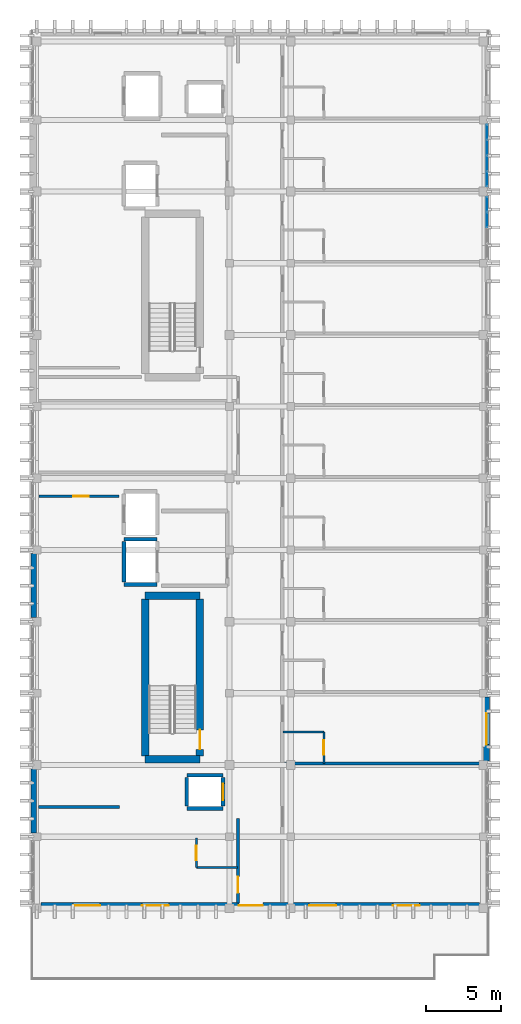
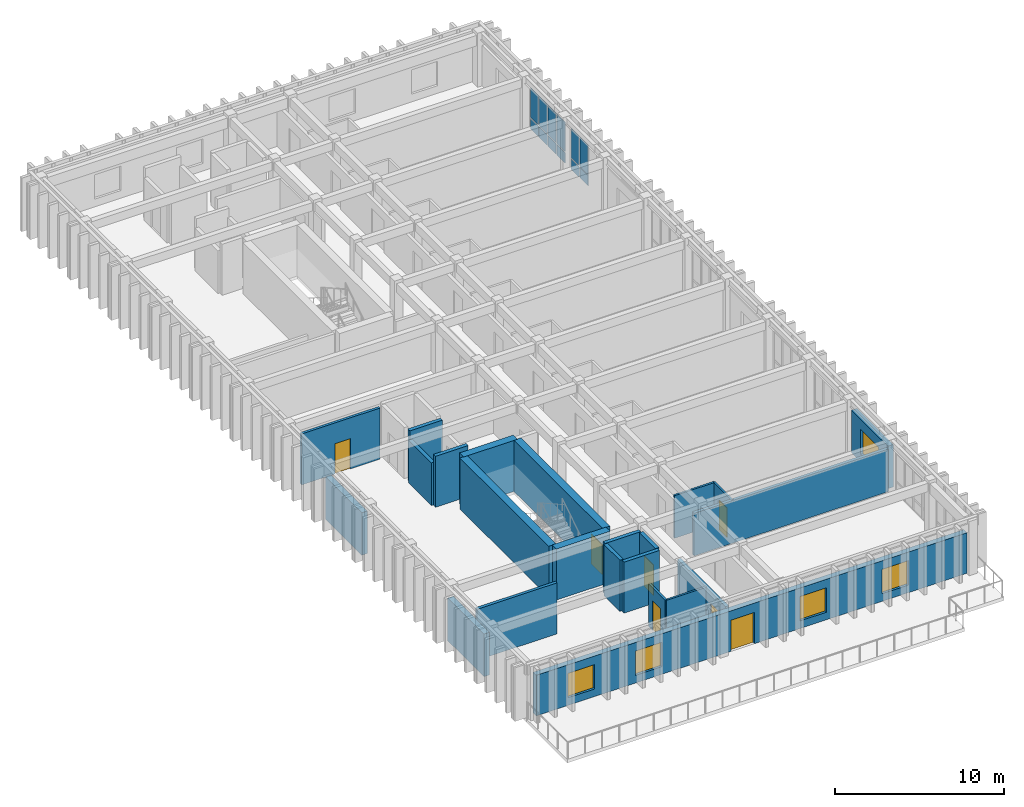
# One storey, part 39 of 49: 23 walls, 12 plates, 7 doors, 5 windows, 12 openings, 2 elements without a shape of their own.
"""IFC4 building model written with IfcOpenShell, lengths in metres."""

from ifc_helpers import new_model, si_unit, direction, frame, frame_2d, origin, origin_2d, place, context, subcontext, project, spatial, rectangle, extrude, material, layer, layer_set, type_object, element, fill, aggregate, save


model = new_model("IFC4")

# Units and contexts
model_context = context("Model", 3, precision=1e-05, world=origin(), true_north=direction((0.0, 1.0)))
body_context = subcontext(model_context, "Body", "Model", "MODEL_VIEW")
ifc_project = project(units=[si_unit("LENGTHUNIT", "METRE"), si_unit("AREAUNIT", "SQUARE_METRE"), si_unit("VOLUMEUNIT", "CUBIC_METRE"), si_unit("PLANEANGLEUNIT", "RADIAN"), si_unit("MASSUNIT", "GRAM", prefix="KILO")], contexts=[model_context])

# Site, building, storey
site_placement = place(None, origin())
site = spatial("IfcSite", under=ifc_project, at=site_placement, CompositionType="ELEMENT")
building_placement = place(site_placement, origin())
building = spatial("IfcBuilding", under=site, at=building_placement, Name="Nakhvara Creek Congress Hotel", CompositionType="ELEMENT")
storey_placement = place(building_placement, frame((0.0, 0.0, 46.5)))
storey = spatial("IfcBuildingStorey", under=building, at=storey_placement, Name="L11", CompositionType="ELEMENT", Elevation=46.5)

# Curtain wall, plates
ifc_material_1 = material(Name="Bronze-anodised aluminium AW-6063-T6 and double-silver low-E glass", Category="aluminium")
ifc_layer_1 = layer(ifc_material_1, 0.199951171875)
ifc_layer_set_1 = layer_set([ifc_layer_1], Name="Bronze-anodised aluminium AW-6063-T6 and double-silver low-E glass")
curtain_wall_type = type_object("IfcCurtainWallType", Name="CW-HTL-UNIT", PredefinedType="USERDEFINED", material=ifc_layer_set_1)
curtain_wall_1_placement = place(storey_placement, origin())
curtain_wall_1 = element("IfcCurtainWall", 1, at=curtain_wall_1_placement, inside=storey, type_object=curtain_wall_type, Name="Curtain Wall CW344", ObjectType="UNITISED", PredefinedType="USERDEFINED")
ifc_material_2 = material(Name="Double-silver solar-control low-E insulated glass", Category="glass")
plate_type = type_object("IfcPlateType", Name="PNL-GLZ-120X250", PredefinedType="CURTAIN_PANEL", material=ifc_material_2)
plate_1_placement = place(storey_placement, frame((179.60009765625, 114.351318359375, 0.06494140625), z_axis=(0.0, 0.0, 1.0), x_axis=(0.0, -1.0, 0.0)))
plate_1 = element("IfcPlate", 2, at=plate_1_placement, type_object=plate_type, Name="CW344 panel 1.1", PredefinedType="CURTAIN_PANEL", context=body_context, shape_type="SweptSolid", body=[
    extrude(rectangle(XDim=0.95751953125, YDim=0.028076171875, at=origin_2d()), origin(), (0.0, 0.0, 1.0), 0.75244140625),
])
plate_2_placement = place(storey_placement, frame((179.60009765625, 114.351318359375, 0.882568359375), z_axis=(0.0, 0.0, 1.0), x_axis=(0.0, -1.0, 0.0)))
plate_2 = element("IfcPlate", 3, at=plate_2_placement, type_object=plate_type, Name="CW344 panel 1.2", PredefinedType="CURTAIN_PANEL", context=body_context, shape_type="SweptSolid", body=[
    extrude(rectangle(XDim=0.95751953125, YDim=0.028076171875, at=origin_2d()), origin(), (0.0, 0.0, 1.0), 2.12451171875),
])
plate_3_placement = place(storey_placement, frame((179.60009765625, 113.3125, 0.06494140625), z_axis=(0.0, 0.0, 1.0), x_axis=(0.0, -1.0, 0.0)))
plate_3 = element("IfcPlate", 4, at=plate_3_placement, type_object=plate_type, Name="CW344 panel 2.1", PredefinedType="CURTAIN_PANEL", context=body_context, shape_type="SweptSolid", body=[
    extrude(rectangle(XDim=0.989990234375, YDim=0.028076171875, at=origin_2d()), origin(), (0.0, 0.0, 1.0), 0.75244140625),
])
plate_4_placement = place(storey_placement, frame((179.60009765625, 113.3125, 0.882568359375), z_axis=(0.0, 0.0, 1.0), x_axis=(0.0, -1.0, 0.0)))
plate_4 = element("IfcPlate", 5, at=plate_4_placement, type_object=plate_type, Name="CW344 panel 2.2", PredefinedType="CURTAIN_PANEL", context=body_context, shape_type="SweptSolid", body=[
    extrude(rectangle(XDim=0.989990234375, YDim=0.028076171875, at=origin_2d()), origin(), (0.0, 0.0, 1.0), 2.12451171875),
])
aggregate(curtain_wall_1, [plate_1, plate_2, plate_3, plate_4])

curtain_wall_2_placement = place(storey_placement, origin())
curtain_wall_2 = element("IfcCurtainWall", 6, at=curtain_wall_2_placement, inside=storey, type_object=curtain_wall_type, Name="Curtain Wall CW346", ObjectType="UNITISED", PredefinedType="USERDEFINED")
plate_5_placement = place(storey_placement, frame((179.60009765625, 119.18115234375, 0.06494140625), z_axis=(0.0, 0.0, 1.0), x_axis=(0.0, -1.0, 0.0)))
plate_5 = element("IfcPlate", 7, at=plate_5_placement, type_object=plate_type, Name="CW346 panel 1.1", PredefinedType="CURTAIN_PANEL", context=body_context, shape_type="SweptSolid", body=[
    extrude(rectangle(XDim=0.95751953125, YDim=0.028076171875, at=origin_2d()), origin(), (0.0, 0.0, 1.0), 0.75244140625),
])
plate_6_placement = place(storey_placement, frame((179.60009765625, 119.18115234375, 0.882568359375), z_axis=(0.0, 0.0, 1.0), x_axis=(0.0, -1.0, 0.0)))
plate_6 = element("IfcPlate", 8, at=plate_6_placement, type_object=plate_type, Name="CW346 panel 1.2", PredefinedType="CURTAIN_PANEL", context=body_context, shape_type="SweptSolid", body=[
    extrude(rectangle(XDim=0.95751953125, YDim=0.028076171875, at=origin_2d()), origin(), (0.0, 0.0, 1.0), 2.12451171875),
])
plate_7_placement = place(storey_placement, frame((179.60009765625, 118.142578125, 0.06494140625), z_axis=(0.0, 0.0, 1.0), x_axis=(0.0, -1.0, 0.0)))
plate_7 = element("IfcPlate", 9, at=plate_7_placement, type_object=plate_type, Name="CW346 panel 2.1", PredefinedType="CURTAIN_PANEL", context=body_context, shape_type="SweptSolid", body=[
    extrude(rectangle(XDim=0.989990234375, YDim=0.028076171875, at=origin_2d()), origin(), (0.0, 0.0, 1.0), 0.75244140625),
])
plate_8_placement = place(storey_placement, frame((179.60009765625, 118.142578125, 0.882568359375), z_axis=(0.0, 0.0, 1.0), x_axis=(0.0, -1.0, 0.0)))
plate_8 = element("IfcPlate", 10, at=plate_8_placement, type_object=plate_type, Name="CW346 panel 2.2", PredefinedType="CURTAIN_PANEL", context=body_context, shape_type="SweptSolid", body=[
    extrude(rectangle(XDim=0.989990234375, YDim=0.028076171875, at=origin_2d()), origin(), (0.0, 0.0, 1.0), 2.12451171875),
])
plate_9_placement = place(storey_placement, frame((179.60009765625, 117.08740234375, 0.06494140625), z_axis=(0.0, 0.0, 1.0), x_axis=(0.0, -1.0, 0.0)))
plate_9 = element("IfcPlate", 11, at=plate_9_placement, type_object=plate_type, Name="CW346 panel 3.1", PredefinedType="CURTAIN_PANEL", context=body_context, shape_type="SweptSolid", body=[
    extrude(rectangle(XDim=0.989990234375, YDim=0.028076171875, at=origin_2d()), origin(), (0.0, 0.0, 1.0), 0.75244140625),
])
plate_10_placement = place(storey_placement, frame((179.60009765625, 117.08740234375, 0.882568359375), z_axis=(0.0, 0.0, 1.0), x_axis=(0.0, -1.0, 0.0)))
plate_10 = element("IfcPlate", 12, at=plate_10_placement, type_object=plate_type, Name="CW346 panel 3.2", PredefinedType="CURTAIN_PANEL", context=body_context, shape_type="SweptSolid", body=[
    extrude(rectangle(XDim=0.989990234375, YDim=0.028076171875, at=origin_2d()), origin(), (0.0, 0.0, 1.0), 2.12451171875),
])
plate_11_placement = place(storey_placement, frame((179.60009765625, 116.048828125, 0.06494140625), z_axis=(0.0, 0.0, 1.0), x_axis=(0.0, -1.0, 0.0)))
plate_11 = element("IfcPlate", 13, at=plate_11_placement, type_object=plate_type, Name="CW346 panel 4.1", PredefinedType="CURTAIN_PANEL", context=body_context, shape_type="SweptSolid", body=[
    extrude(rectangle(XDim=0.95751953125, YDim=0.028076171875, at=origin_2d()), origin(), (0.0, 0.0, 1.0), 0.75244140625),
])
plate_12_placement = place(storey_placement, frame((179.60009765625, 116.048828125, 0.882568359375), z_axis=(0.0, 0.0, 1.0), x_axis=(0.0, -1.0, 0.0)))
plate_12 = element("IfcPlate", 14, at=plate_12_placement, type_object=plate_type, Name="CW346 panel 4.2", PredefinedType="CURTAIN_PANEL", context=body_context, shape_type="SweptSolid", body=[
    extrude(rectangle(XDim=0.95751953125, YDim=0.028076171875, at=origin_2d()), origin(), (0.0, 0.0, 1.0), 2.12451171875),
])
aggregate(curtain_wall_2, [plate_5, plate_6, plate_7, plate_8, plate_9, plate_10, plate_11, plate_12])

# Walls
ifc_material_3 = material(Name="Concrete C50/60", Category="concrete")
ifc_layer_2 = layer(ifc_material_3, 0.5)
ifc_layer_set_2 = layer_set([ifc_layer_2], Name="Concrete C50/60")
wall_type_1 = type_object("IfcWallType", Name="W-CORE-500", PredefinedType="SHEAR", material=ifc_layer_set_2)
for number, where, z_axis, x_axis, name in (
    (15, (156.699951171875, 77.179931640625, 0.0), (0.0, 0.0, 1.0), (1.0, 0.0, 0.0), "Core Shear Wall WS01-CWALL-L11-0235"),
    (16, (156.699951171875, 88.1201171875, 0.0), (0.0, 0.0, 1.0), (1.0, 0.0, 0.0), "Core Shear Wall WS01-CWALL-L11-0236"),
):
    element("IfcWall", number, at=place(storey_placement, frame(where, z_axis=z_axis, x_axis=x_axis)), inside=storey, type_object=wall_type_1, Name=name, PredefinedType="SHEAR", context=body_context, shape_type="SweptSolid", body=[
        extrude(rectangle(XDim=3.670166015625, YDim=0.5, at=frame_2d((1.8349609375, 0.0))), origin(), (0.0, 0.0, 1.0), 3.679931640625),
    ])
wall_1_placement = place(storey_placement, frame((156.699951171875, 77.39990234375, 0.0), z_axis=(0.0, 0.0, 1.0), x_axis=(0.0, 1.0, 0.0)))
element("IfcWall", 17, at=wall_1_placement, inside=storey, type_object=wall_type_1, Name="Core Shear Wall WS01-CWALL-L11-0237", PredefinedType="SHEAR", context=body_context, shape_type="SweptSolid", body=[
    extrude(rectangle(XDim=10.5, YDim=0.5, at=frame_2d((5.25, 0.0))), origin(), (0.0, 0.0, 1.0), 3.679931640625),
])

# Wall, opening, door
wall_2_placement = place(storey_placement, frame((160.3701171875, 77.39990234375, 0.0), z_axis=(0.0, 0.0, 1.0), x_axis=(0.0, 1.0, 0.0)))
wall_2 = element("IfcWall", 18, at=wall_2_placement, inside=storey, type_object=wall_type_1, Name="Core Shear Wall WS01-CWALL-L11-0238", PredefinedType="SHEAR", context=body_context, shape_type="SweptSolid", body=[
    extrude(rectangle(XDim=10.5, YDim=0.5, at=frame_2d((5.25, 0.0))), origin(), (0.0, 0.0, 1.0), 3.679931640625),
])
opening_1_placement = place(wall_2_placement, frame((0.449951171875, 0.0, 0.0)))
opening_1 = element("IfcOpeningElement", 19, at=opening_1_placement, cuts=wall_2, Name="Opening FD04", PredefinedType="OPENING", context=body_context, shape_type="SweptSolid", body=[
    extrude(rectangle(XDim=1.300048828125, YDim=2.14990234375, at=frame_2d((0.64990234375, 1.074951171875))), frame((0.0, 0.261962890625, 0.0), z_axis=(0.0, -1.0, 0.0), x_axis=(1.0, 0.0, 0.0)), (0.0, 0.0, 1.0), 0.52392578125),
])
ifc_material_4 = material(Name="Powder-coated steel fire door", Category="steel")
door_type_1 = type_object("IfcDoorType", Name="DT-STAIR-130", OperationType="NOTDEFINED", PredefinedType="DOOR", material=ifc_material_4)
door_1_placement = place(opening_1_placement, frame((1.300048828125, 0.0, 0.0), z_axis=(0.0, 0.0, 1.0), x_axis=(-1.0, 0.0, 0.0)))
door_1 = element("IfcDoor", 20, at=door_1_placement, inside=storey, type_object=door_type_1, Name="Stair Exit Door ST01-L11", OperationType="SINGLE_SWING_LEFT", OverallHeight=2.14990234375, OverallWidth=1.300048828125, PredefinedType="DOOR", context=body_context, shape_type="SweptSolid", body=[
    extrude(rectangle(XDim=1.300048828125, YDim=2.14990234375, at=frame_2d((0.64990234375, 1.074951171875))), frame((0.0, 0.02490234375, 0.0), z_axis=(0.0, -1.0, 0.0), x_axis=(1.0, 0.0, 0.0)), (0.0, 0.0, 1.0), 0.050048828125),
])
fill(opening_1, door_1)

ifc_material_5 = material(Name="Gypsum acoustic board on steel stud", Category="steel")
ifc_layer_3 = layer(ifc_material_5, 0.219970703125)
ifc_layer_set_3 = layer_set([ifc_layer_3], Name="Gypsum acoustic board on steel stud")
wall_type_2 = type_object("IfcWallType", Name="W-CORR-220", PredefinedType="PARTITIONING", material=ifc_layer_set_3)
wall_3_placement = place(storey_placement, frame((162.919921875, 67.550048828125, 0.0), z_axis=(0.0, 0.0, 1.0), x_axis=(0.0, 1.0, 0.0)))
wall_3 = element("IfcWall", 21, at=wall_3_placement, inside=storey, type_object=wall_type_2, Name="Interior Wall WP11-IW-L11-0750", PredefinedType="PARTITIONING", context=body_context, shape_type="SweptSolid", body=[
    extrude(rectangle(XDim=5.64990234375, YDim=0.219970703125, at=frame_2d((2.824951171875, 0.0))), origin(), (0.0, 0.0, 1.0), 3.072021484375),
])
opening_2_placement = place(wall_3_placement, frame((0.69091796875, 0.0, 0.0)))
opening_2 = element("IfcOpeningElement", 22, at=opening_2_placement, cuts=wall_3, Name="Opening GD02", PredefinedType="OPENING", context=body_context, shape_type="SweptSolid", body=[
    extrude(rectangle(XDim=1.080078125, YDim=2.25, at=frame_2d((0.5400390625, 1.125))), frame((0.0, 0.1220703125, 0.0), z_axis=(0.0, -1.0, 0.0), x_axis=(1.0, 0.0, 0.0)), (0.0, 0.0, 1.0), 0.243896484375),
])
ifc_material_6 = material(Name="Walnut hardwood timber fire door", Category="wood")
door_type_2 = type_object("IfcDoorType", Name="DT-GUEST-108", OperationType="NOTDEFINED", PredefinedType="DOOR", material=ifc_material_6)
door_2_placement = place(opening_2_placement, frame((1.080078125, 0.0, 0.0), z_axis=(0.0, 0.0, 1.0), x_axis=(-1.0, 0.0, 0.0)))
door_2 = element("IfcDoor", 23, at=door_2_placement, inside=storey, type_object=door_type_2, Name="Interior Door GD02-0544", OperationType="SINGLE_SWING_LEFT", OverallHeight=2.25, OverallWidth=1.080078125, PredefinedType="DOOR", context=body_context, shape_type="SweptSolid", body=[
    extrude(rectangle(XDim=1.080078125, YDim=2.25, at=frame_2d((0.5400390625, 1.125))), frame((0.0, 0.02490234375, 0.0), z_axis=(0.0, -1.0, 0.0), x_axis=(1.0, 0.0, 0.0)), (0.0, 0.0, 1.0), 0.050048828125),
])
fill(opening_2, door_2)

ifc_material_7 = material(Name="Moisture-resistant gypsum board partition")
ifc_layer_4 = layer(ifc_material_7, 0.139892578125)
ifc_layer_set_4 = layer_set([ifc_layer_4], Name="Moisture-resistant gypsum board partition")
wall_type_3 = type_object("IfcWallType", Name="W-ENS-140", PredefinedType="PARTITIONING", material=ifc_layer_set_4)
wall_4_placement = place(storey_placement, frame((160.1298828125, 69.922119140625, 0.0), z_axis=(0.0, 0.0, 1.0), x_axis=(0.0, 1.0, 0.0)))
wall_4 = element("IfcWall", 24, at=wall_4_placement, inside=storey, type_object=wall_type_3, Name="Interior Wall WP15-IW-L11-0761", PredefinedType="PARTITIONING", context=body_context, shape_type="SweptSolid", body=[
    extrude(rectangle(XDim=1.977783203125, YDim=0.139892578125, at=frame_2d((0.98876953125, 0.0))), origin(), (0.0, 0.0, 1.0), 3.072021484375),
])
opening_3_placement = place(wall_4_placement, frame((0.513916015625, 0.0, 0.0)))
opening_3 = element("IfcOpeningElement", 25, at=opening_3_placement, cuts=wall_4, Name="Opening ID02", PredefinedType="OPENING", context=body_context, shape_type="SweptSolid", body=[
    extrude(rectangle(XDim=0.9599609375, YDim=2.1201171875, at=frame_2d((0.47998046875, 1.06005859375))), frame((0.0, 0.08203125, 0.0), z_axis=(0.0, -1.0, 0.0), x_axis=(1.0, 0.0, 0.0)), (0.0, 0.0, 1.0), 0.163818359375),
])
ifc_material_8 = material(Name="Moisture-resistant walnut timber door", Category="wood")
door_type_3 = type_object("IfcDoorType", Name="DT-ENS-096", OperationType="NOTDEFINED", PredefinedType="DOOR", material=ifc_material_8)
door_3_placement = place(opening_3_placement, origin())
door_3 = element("IfcDoor", 26, at=door_3_placement, inside=storey, type_object=door_type_3, Name="Interior Door ID02-0545", OperationType="SINGLE_SWING_RIGHT", OverallHeight=2.1201171875, OverallWidth=0.9599609375, PredefinedType="DOOR", context=body_context, shape_type="SweptSolid", body=[
    extrude(rectangle(XDim=0.9599609375, YDim=2.1201171875, at=frame_2d((0.47998046875, 1.06005859375))), frame((0.0, 0.02490234375, 0.0), z_axis=(0.0, -1.0, 0.0), x_axis=(1.0, 0.0, 0.0)), (0.0, 0.0, 1.0), 0.050048828125),
])
fill(opening_3, door_3)

# Wall
wall_5_placement = place(storey_placement, frame((160.1298828125, 69.922119140625, 0.0), z_axis=(0.0, 0.0, 1.0), x_axis=(1.0, 0.0, 0.0)))
element("IfcWall", 27, at=wall_5_placement, inside=storey, type_object=wall_type_3, Name="Interior Wall WP15-IW-L11-0762", PredefinedType="PARTITIONING", context=body_context, shape_type="SweptSolid", body=[
    extrude(rectangle(XDim=2.75, YDim=0.139892578125, at=frame_2d((1.375, 0.0))), origin(), (0.0, 0.0, 1.0), 3.072021484375),
])

# Wall, opening, door
wall_6_placement = place(storey_placement, frame((168.669921875, 76.89990234375, 0.0), z_axis=(0.0, 0.0, 1.0), x_axis=(0.0, 1.0, 0.0)))
wall_6 = element("IfcWall", 28, at=wall_6_placement, inside=storey, type_object=wall_type_3, Name="Interior Wall WP15-IW-L11-0764", PredefinedType="PARTITIONING", context=body_context, shape_type="SweptSolid", body=[
    extrude(rectangle(XDim=2.1162109375, YDim=0.139892578125, at=frame_2d((1.05810546875, 0.0))), origin(), (0.0, 0.0, 1.0), 3.072021484375),
])
opening_4_placement = place(wall_6_placement, frame((0.5830078125, 0.0, 0.0)))
opening_4 = element("IfcOpeningElement", 29, at=opening_4_placement, cuts=wall_6, Name="Opening ID02", PredefinedType="OPENING", context=body_context, shape_type="SweptSolid", body=[
    extrude(rectangle(XDim=0.9599609375, YDim=2.1201171875, at=frame_2d((0.47998046875, 1.06005859375))), frame((0.0, 0.08203125, 0.0), z_axis=(0.0, -1.0, 0.0), x_axis=(1.0, 0.0, 0.0)), (0.0, 0.0, 1.0), 0.163818359375),
])
door_4_placement = place(opening_4_placement, frame((0.9599609375, 0.0, 0.0), z_axis=(0.0, 0.0, 1.0), x_axis=(-1.0, 0.0, 0.0)))
door_4 = element("IfcDoor", 30, at=door_4_placement, inside=storey, type_object=door_type_3, Name="Interior Door ID02-0547", OperationType="SINGLE_SWING_RIGHT", OverallHeight=2.1201171875, OverallWidth=0.9599609375, PredefinedType="DOOR", context=body_context, shape_type="SweptSolid", body=[
    extrude(rectangle(XDim=0.9599609375, YDim=2.1201171875, at=frame_2d((0.47998046875, 1.06005859375))), frame((0.0, 0.02490234375, 0.0), z_axis=(0.0, -1.0, 0.0), x_axis=(1.0, 0.0, 0.0)), (0.0, 0.0, 1.0), 0.050048828125),
])
fill(opening_4, door_4)

# Wall
wall_7_placement = place(storey_placement, frame((165.919921875, 79.01611328125, 0.0), z_axis=(0.0, 0.0, 1.0), x_axis=(1.0, 0.0, 0.0)))
element("IfcWall", 31, at=wall_7_placement, inside=storey, type_object=wall_type_3, Name="Interior Wall WP15-IW-L11-0765", PredefinedType="PARTITIONING", context=body_context, shape_type="SweptSolid", body=[
    extrude(rectangle(XDim=2.75, YDim=0.139892578125, at=frame_2d((1.375, 0.0))), origin(), (0.0, 0.0, 1.0), 3.072021484375),
])

# Wall, openings, door, windows
ifc_material_9 = material(Name="Honed pale Omani limestone cladding", Category="masonry")
ifc_layer_5 = layer(ifc_material_9, 0.050048828125)
ifc_material_10 = material(Name="Mineral wool thermal insulation")
ifc_layer_6 = layer(ifc_material_10, 0.110107421875)
ifc_material_11 = material(Name="Precast concrete C40/50", Category="concrete")
ifc_layer_7 = layer(ifc_material_11, 0.219970703125)
ifc_layer_set_5 = layer_set([ifc_layer_5, ifc_layer_6, ifc_layer_7], Name="Precast concrete C40/50")
wall_type_4 = type_object("IfcWallType", Name="W-EXT-380", PredefinedType="SOLIDWALL", material=ifc_layer_set_5)
wall_8_placement = place(storey_placement, frame((179.0849609375, 67.389892578125, 0.0), z_axis=(0.0, 0.0, 1.0), x_axis=(-1.0, 0.0, 0.0)))
wall_8 = element("IfcWall", 32, at=wall_8_placement, inside=storey, type_object=wall_type_4, Name="Exterior Wall WE03-EW-L11-0222", PredefinedType="SOLIDWALL", context=body_context, shape_type="SweptSolid", body=[
    extrude(rectangle(XDim=29.369873046875, YDim=0.3798828125, at=frame_2d((14.68505859375, 0.0))), origin(), (0.0, 0.0, 1.0), 2.922119140625),
])
opening_5_placement = place(wall_8_placement, frame((14.5, 0.0, 0.0)))
opening_5 = element("IfcOpeningElement", 33, at=opening_5_placement, cuts=wall_8, Name="Opening TDL11S", PredefinedType="OPENING", context=body_context, shape_type="SweptSolid", body=[
    extrude(rectangle(XDim=1.60009765625, YDim=2.25, at=frame_2d((0.800048828125, 1.125))), frame((0.0, 0.201904296875, 0.0), z_axis=(0.0, -1.0, 0.0), x_axis=(1.0, 0.0, 0.0)), (0.0, 0.0, 1.0), 0.40380859375),
])
opening_6_placement = place(wall_8_placement, frame((4.0, 0.0, 0.550048828125)))
opening_6 = element("IfcOpeningElement", 34, at=opening_6_placement, cuts=wall_8, Name="Opening WN0245", PredefinedType="OPENING", context=body_context, shape_type="SweptSolid", body=[
    extrude(rectangle(XDim=1.800048828125, YDim=1.760009765625, at=frame_2d((0.89990234375, 0.8798828125))), frame((0.0, 0.201904296875, 0.0), z_axis=(0.0, -1.0, 0.0), x_axis=(1.0, 0.0, 0.0)), (0.0, 0.0, 1.0), 0.40380859375),
])
opening_7_placement = place(wall_8_placement, frame((9.60009765625, 0.0, 0.550048828125)))
opening_7 = element("IfcOpeningElement", 35, at=opening_7_placement, cuts=wall_8, Name="Opening WN0246", PredefinedType="OPENING", context=body_context, shape_type="SweptSolid", body=[
    extrude(rectangle(XDim=1.800048828125, YDim=1.760009765625, at=frame_2d((0.89990234375, 0.8798828125))), frame((0.0, 0.201904296875, 0.0), z_axis=(0.0, -1.0, 0.0), x_axis=(1.0, 0.0, 0.0)), (0.0, 0.0, 1.0), 0.40380859375),
])
opening_8_placement = place(wall_8_placement, frame((20.800048828125, 0.0, 0.550048828125)))
opening_8 = element("IfcOpeningElement", 36, at=opening_8_placement, cuts=wall_8, Name="Opening WN0247", PredefinedType="OPENING", context=body_context, shape_type="SweptSolid", body=[
    extrude(rectangle(XDim=1.800048828125, YDim=1.760009765625, at=frame_2d((0.89990234375, 0.8798828125))), frame((0.0, 0.201904296875, 0.0), z_axis=(0.0, -1.0, 0.0), x_axis=(1.0, 0.0, 0.0)), (0.0, 0.0, 1.0), 0.40380859375),
])
opening_9_placement = place(wall_8_placement, frame((25.39990234375, 0.0, 0.550048828125)))
opening_9 = element("IfcOpeningElement", 37, at=opening_9_placement, cuts=wall_8, Name="Opening WN0248", PredefinedType="OPENING", context=body_context, shape_type="SweptSolid", body=[
    extrude(rectangle(XDim=1.800048828125, YDim=1.760009765625, at=frame_2d((0.89990234375, 0.8798828125))), frame((0.0, 0.201904296875, 0.0), z_axis=(0.0, -1.0, 0.0), x_axis=(1.0, 0.0, 0.0)), (0.0, 0.0, 1.0), 0.40380859375),
])
ifc_material_12 = material(Name="Bronze-anodised aluminium and laminated low-E glass", Category="aluminium")
door_type_4 = type_object("IfcDoorType", Name="DT-EXT-TER160", OperationType="DOUBLE_DOOR_SINGLE_SWING", PredefinedType="DOOR", material=ifc_material_12)
door_5_placement = place(opening_5_placement, origin())
door_5 = element("IfcDoor", 38, at=door_5_placement, inside=storey, type_object=door_type_4, Name="Creekside Setback Terrace Door TDL11S", OperationType="DOUBLE_DOOR_SINGLE_SWING", OverallHeight=2.25, OverallWidth=1.60009765625, PredefinedType="DOOR", context=body_context, shape_type="SweptSolid", body=[
    extrude(rectangle(XDim=1.60009765625, YDim=2.25, at=frame_2d((0.800048828125, 1.125))), frame((0.0, 0.02490234375, 0.0), z_axis=(0.0, -1.0, 0.0), x_axis=(1.0, 0.0, 0.0)), (0.0, 0.0, 1.0), 0.050048828125),
])
fill(opening_5, door_5)
ifc_material_13 = material(Name="Thermally broken bronze-anodised aluminium and double-silver low-E insulated glass", Category="aluminium")
window_type_1 = type_object("IfcWindowType", Name="WN-LAN-180X225", PartitioningType="SINGLE_PANEL", PredefinedType="WINDOW", material=ifc_material_13)
window_1_placement = place(opening_6_placement, origin())
window_1 = element("IfcWindow", 39, at=window_1_placement, inside=storey, type_object=window_type_1, Name="Facade Window WN0245", OverallHeight=1.760009765625, OverallWidth=1.800048828125, PartitioningType="SINGLE_PANEL", PredefinedType="WINDOW", context=body_context, shape_type="SweptSolid", body=[
    extrude(rectangle(XDim=1.800048828125, YDim=1.760009765625, at=frame_2d((0.89990234375, 0.8798828125))), frame((0.0, 0.030029296875, 0.0), z_axis=(0.0, -1.0, 0.0), x_axis=(1.0, 0.0, 0.0)), (0.0, 0.0, 1.0), 0.06005859375),
])
fill(opening_6, window_1)
window_2_placement = place(opening_7_placement, origin())
window_2 = element("IfcWindow", 40, at=window_2_placement, inside=storey, type_object=window_type_1, Name="Facade Window WN0246", OverallHeight=1.760009765625, OverallWidth=1.800048828125, PartitioningType="SINGLE_PANEL", PredefinedType="WINDOW", context=body_context, shape_type="SweptSolid", body=[
    extrude(rectangle(XDim=1.800048828125, YDim=1.760009765625, at=frame_2d((0.89990234375, 0.8798828125))), frame((0.0, 0.030029296875, 0.0), z_axis=(0.0, -1.0, 0.0), x_axis=(1.0, 0.0, 0.0)), (0.0, 0.0, 1.0), 0.06005859375),
])
fill(opening_7, window_2)
window_3_placement = place(opening_8_placement, origin())
window_3 = element("IfcWindow", 41, at=window_3_placement, inside=storey, type_object=window_type_1, Name="Facade Window WN0247", OverallHeight=1.760009765625, OverallWidth=1.800048828125, PartitioningType="SINGLE_PANEL", PredefinedType="WINDOW", context=body_context, shape_type="SweptSolid", body=[
    extrude(rectangle(XDim=1.800048828125, YDim=1.760009765625, at=frame_2d((0.89990234375, 0.8798828125))), frame((0.0, 0.030029296875, 0.0), z_axis=(0.0, -1.0, 0.0), x_axis=(1.0, 0.0, 0.0)), (0.0, 0.0, 1.0), 0.06005859375),
])
fill(opening_8, window_3)
window_4_placement = place(opening_9_placement, origin())
window_4 = element("IfcWindow", 42, at=window_4_placement, inside=storey, type_object=window_type_1, Name="Facade Window WN0248", OverallHeight=1.760009765625, OverallWidth=1.800048828125, PartitioningType="SINGLE_PANEL", PredefinedType="WINDOW", context=body_context, shape_type="SweptSolid", body=[
    extrude(rectangle(XDim=1.800048828125, YDim=1.760009765625, at=frame_2d((0.89990234375, 0.8798828125))), frame((0.0, 0.030029296875, 0.0), z_axis=(0.0, -1.0, 0.0), x_axis=(1.0, 0.0, 0.0)), (0.0, 0.0, 1.0), 0.06005859375),
])
fill(opening_9, window_4)

# Wall
wall_9_placement = place(storey_placement, frame((149.239990234375, 72.235107421875, 0.0), z_axis=(0.0, 0.0, 1.0), x_axis=(0.0, 1.0, 0.0)))
element("IfcWall", 43, at=wall_9_placement, inside=storey, type_object=wall_type_4, Name="Exterior Wall WE03-EW-L11-0223", PredefinedType="SOLIDWALL", context=body_context, shape_type="SweptSolid", body=[
    extrude(rectangle(XDim=4.2998046875, YDim=0.3798828125, at=frame_2d((2.14990234375, 0.0))), origin(), (0.0, 0.0, 1.0), 3.072021484375),
])

# Wall, opening, window
wall_10_placement = place(storey_placement, frame((179.56005859375, 81.364990234375, 0.0), z_axis=(0.0, 0.0, 1.0), x_axis=(0.0, -1.0, 0.0)))
wall_10 = element("IfcWall", 44, at=wall_10_placement, inside=storey, type_object=wall_type_4, Name="Exterior Wall WE03-EW-L11-0224", PredefinedType="SOLIDWALL", context=body_context, shape_type="SweptSolid", body=[
    extrude(rectangle(XDim=4.300048828125, YDim=0.3798828125, at=frame_2d((2.14990234375, 0.0))), origin(), (0.0, 0.0, 1.0), 3.072021484375),
])
opening_10_placement = place(wall_10_placement, frame((1.10009765625, 0.0, 0.550048828125)))
opening_10 = element("IfcOpeningElement", 45, at=opening_10_placement, cuts=wall_10, Name="Opening WN0249", PredefinedType="OPENING", context=body_context, shape_type="SweptSolid", body=[
    extrude(rectangle(XDim=2.10009765625, YDim=1.780029296875, at=frame_2d((1.050048828125, 0.89013671875))), frame((0.0, 0.201904296875, 0.0), z_axis=(0.0, -1.0, 0.0), x_axis=(1.0, 0.0, 0.0)), (0.0, 0.0, 1.0), 0.40380859375),
])
window_type_2 = type_object("IfcWindowType", Name="WN-LAN-210X230", PartitioningType="SINGLE_PANEL", PredefinedType="WINDOW", material=ifc_material_13)
window_5_placement = place(opening_10_placement, origin())
window_5 = element("IfcWindow", 46, at=window_5_placement, inside=storey, type_object=window_type_2, Name="Facade Window WN0249", OverallHeight=1.780029296875, OverallWidth=2.10009765625, PartitioningType="SINGLE_PANEL", PredefinedType="WINDOW", context=body_context, shape_type="SweptSolid", body=[
    extrude(rectangle(XDim=2.10009765625, YDim=1.780029296875, at=frame_2d((1.050048828125, 0.89013671875))), frame((0.0, 0.030029296875, 0.0), z_axis=(0.0, -1.0, 0.0), x_axis=(1.0, 0.0, 0.0)), (0.0, 0.0, 1.0), 0.06005859375),
])
fill(opening_10, window_5)

# Wall
wall_11_placement = place(storey_placement, frame((149.239990234375, 86.6650390625, 0.0), z_axis=(0.0, 0.0, 1.0), x_axis=(0.0, 1.0, 0.0)))
element("IfcWall", 47, at=wall_11_placement, inside=storey, type_object=wall_type_4, Name="Exterior Wall WE03-EW-L11-0225", PredefinedType="SOLIDWALL", context=body_context, shape_type="SweptSolid", body=[
    extrude(rectangle(XDim=4.300048828125, YDim=0.3798828125, at=frame_2d((2.14990234375, 0.0))), origin(), (0.0, 0.0, 1.0), 3.072021484375),
])

# Wall, opening, door
ifc_layer_8 = layer(ifc_material_5, 0.179931640625)
ifc_layer_set_6 = layer_set([ifc_layer_8], Name="Gypsum acoustic board on steel stud")
wall_type_5 = type_object("IfcWallType", Name="W-MEET-180", PredefinedType="PARTITIONING", material=ifc_layer_set_6)
wall_12_placement = place(storey_placement, frame((149.60009765625, 94.800048828125, 0.0), z_axis=(0.0, 0.0, 1.0), x_axis=(1.0, 0.0, 0.0)))
wall_12 = element("IfcWall", 48, at=wall_12_placement, inside=storey, type_object=wall_type_5, Name="Interior Wall WP13-IW-L11-0759", PredefinedType="PARTITIONING", context=body_context, shape_type="SweptSolid", body=[
    extrude(rectangle(XDim=5.349853515625, YDim=0.179931640625, at=frame_2d((2.6748046875, 0.0))), origin(), (0.0, 0.0, 1.0), 3.679931640625),
])
opening_11_placement = place(wall_12_placement, frame((2.27490234375, 0.0, 0.0)))
opening_11 = element("IfcOpeningElement", 49, at=opening_11_placement, cuts=wall_12, Name="Opening ID04", PredefinedType="OPENING", context=body_context, shape_type="SweptSolid", body=[
    extrude(rectangle(XDim=1.050048828125, YDim=2.179931640625, at=frame_2d((0.52490234375, 1.08984375))), frame((0.0, 0.10205078125, 0.0), z_axis=(0.0, -1.0, 0.0), x_axis=(1.0, 0.0, 0.0)), (0.0, 0.0, 1.0), 0.203857421875),
])
ifc_material_14 = material(Name="Teak timber & frosted glass spa door", Category="wood")
door_type_5 = type_object("IfcDoorType", Name="DT-SPA-105", OperationType="NOTDEFINED", PredefinedType="DOOR", material=ifc_material_14)
door_6_placement = place(opening_11_placement, origin())
door_6 = element("IfcDoor", 50, at=door_6_placement, inside=storey, type_object=door_type_5, Name="Interior Door ID04-0543", OperationType="SINGLE_SWING_RIGHT", OverallHeight=2.179931640625, OverallWidth=1.050048828125, PredefinedType="DOOR", context=body_context, shape_type="SweptSolid", body=[
    extrude(rectangle(XDim=1.050048828125, YDim=2.179931640625, at=frame_2d((0.52490234375, 1.08984375))), frame((0.0, 0.02490234375, 0.0), z_axis=(0.0, -1.0, 0.0), x_axis=(1.0, 0.0, 0.0)), (0.0, 0.0, 1.0), 0.050048828125),
])
fill(opening_11, door_6)

# Walls
ifc_layer_9 = layer(ifc_material_5, 0.199951171875)
ifc_layer_set_7 = layer_set([ifc_layer_9], Name="Gypsum acoustic board on steel stud")
wall_type_6 = type_object("IfcWallType", Name="W-PART-200", PredefinedType="PARTITIONING", material=ifc_layer_set_7)
wall_13_placement = place(storey_placement, frame((149.550048828125, 74.0, 0.0), z_axis=(0.0, 0.0, 1.0), x_axis=(1.0, 0.0, 0.0)))
element("IfcWall", 51, at=wall_13_placement, inside=storey, type_object=wall_type_6, Name="Interior Wall WP12-IW-L11-0758", PredefinedType="PARTITIONING", context=body_context, shape_type="SweptSolid", body=[
    extrude(rectangle(XDim=5.449951171875, YDim=0.199951171875, at=frame_2d((2.72509765625, 0.0))), origin(), (0.0, 0.0, 1.0), 3.679931640625),
])
wall_14_placement = place(storey_placement, frame((166.02001953125, 76.89990234375, 0.0), z_axis=(0.0, 0.0, 1.0), x_axis=(1.0, 0.0, 0.0)))
element("IfcWall", 52, at=wall_14_placement, inside=storey, type_object=wall_type_6, Name="Interior Wall WP12-IW-L11-0763", PredefinedType="PARTITIONING", context=body_context, shape_type="SweptSolid", body=[
    extrude(rectangle(XDim=13.22998046875, YDim=0.199951171875, at=frame_2d((6.614990234375, 0.0))), origin(), (0.0, 0.0, 1.0), 3.072021484375),
])
ifc_material_15 = material(Name="Concrete C40/50", Category="concrete")
ifc_layer_10 = layer(ifc_material_15, 0.25)
ifc_layer_set_8 = layer_set([ifc_layer_10], Name="Concrete C40/50")
wall_type_7 = type_object("IfcWallType", Name="W-SHAFT-250", PredefinedType="SOLIDWALL", material=ifc_layer_set_8)
for number, where, z_axis, x_axis, name in (
    (53, (155.2900390625, 88.889892578125, 0.0), (0.0, 0.0, 1.0), (1.0, 0.0, 0.0), "Core Shear Wall WI02-CWALL-L11-0239"),
    (54, (155.2900390625, 91.909912109375, 0.0), (0.0, 0.0, 1.0), (1.0, 0.0, 0.0), "Core Shear Wall WI02-CWALL-L11-0240"),
):
    element("IfcWall", number, at=place(storey_placement, frame(where, z_axis=z_axis, x_axis=x_axis)), inside=storey, type_object=wall_type_7, Name=name, PredefinedType="SOLIDWALL", context=body_context, shape_type="SweptSolid", body=[
        extrude(rectangle(XDim=2.219970703125, YDim=0.25, at=frame_2d((1.10986328125, 0.0))), origin(), (0.0, 0.0, 1.0), 3.679931640625),
    ])
wall_15_placement = place(storey_placement, frame((155.2900390625, 89.050048828125, 0.0), z_axis=(0.0, 0.0, 1.0), x_axis=(0.0, 1.0, 0.0)))
element("IfcWall", 55, at=wall_15_placement, inside=storey, type_object=wall_type_7, Name="Core Shear Wall WI02-CWALL-L11-0241", PredefinedType="SOLIDWALL", context=body_context, shape_type="SweptSolid", body=[
    extrude(rectangle(XDim=2.699951171875, YDim=0.25, at=frame_2d((1.35009765625, 0.0))), origin(), (0.0, 0.0, 1.0), 3.072021484375),
])
for number, where, z_axis, x_axis, name in (
    (56, (159.489990234375, 73.889892578125, 0.0), (0.0, 0.0, 1.0), (1.0, 0.0, 0.0), "Core Shear Wall WI02-CWALL-L11-0246"),
    (57, (159.489990234375, 76.110107421875, 0.0), (0.0, 0.0, 1.0), (1.0, 0.0, 0.0), "Core Shear Wall WI02-CWALL-L11-0247"),
):
    element("IfcWall", number, at=place(storey_placement, frame(where, z_axis=z_axis, x_axis=x_axis)), inside=storey, type_object=wall_type_7, Name=name, PredefinedType="SOLIDWALL", context=body_context, shape_type="SweptSolid", body=[
        extrude(rectangle(XDim=2.419921875, YDim=0.25, at=frame_2d((1.2099609375, 0.0))), origin(), (0.0, 0.0, 1.0), 3.679931640625),
    ])
wall_16_placement = place(storey_placement, frame((159.489990234375, 74.050048828125, 0.0), z_axis=(0.0, 0.0, 1.0), x_axis=(0.0, 1.0, 0.0)))
element("IfcWall", 58, at=wall_16_placement, inside=storey, type_object=wall_type_7, Name="Core Shear Wall WI02-CWALL-L11-0248", PredefinedType="SOLIDWALL", context=body_context, shape_type="SweptSolid", body=[
    extrude(rectangle(XDim=1.89990234375, YDim=0.25, at=frame_2d((0.949951171875, 0.0))), origin(), (0.0, 0.0, 1.0), 3.679931640625),
])

# Wall, opening, door
wall_17_placement = place(storey_placement, frame((161.909912109375, 74.050048828125, 0.0), z_axis=(0.0, 0.0, 1.0), x_axis=(0.0, 1.0, 0.0)))
wall_17 = element("IfcWall", 59, at=wall_17_placement, inside=storey, type_object=wall_type_7, Name="Core Shear Wall WI02-CWALL-L11-0249", PredefinedType="SOLIDWALL", context=body_context, shape_type="SweptSolid", body=[
    extrude(rectangle(XDim=1.89990234375, YDim=0.25, at=frame_2d((0.949951171875, 0.0))), origin(), (0.0, 0.0, 1.0), 3.679931640625),
])
opening_12_placement = place(wall_17_placement, frame((0.39990234375, 0.0, 0.0)))
opening_12 = element("IfcOpeningElement", 60, at=opening_12_placement, cuts=wall_17, Name="Opening LD01", PredefinedType="OPENING", context=body_context, shape_type="SweptSolid", body=[
    extrude(rectangle(XDim=1.10009765625, YDim=2.199951171875, at=frame_2d((0.550048828125, 1.10009765625))), frame((0.0, 0.136962890625, 0.0), z_axis=(0.0, -1.0, 0.0), x_axis=(1.0, 0.0, 0.0)), (0.0, 0.0, 1.0), 0.27392578125),
])
ifc_material_16 = material(Name="Brushed stainless steel sliding landing door", Category="steel")
door_type_6 = type_object("IfcDoorType", Name="DT-LIFT-110", OperationType="DOUBLE_DOOR_SLIDING", PredefinedType="DOOR", material=ifc_material_16)
door_7_placement = place(opening_12_placement, origin())
door_7 = element("IfcDoor", 61, at=door_7_placement, inside=storey, type_object=door_type_6, Name="Landing Door PL02-L11", OperationType="SLIDING_TO_LEFT", OverallHeight=2.199951171875, OverallWidth=1.10009765625, PredefinedType="DOOR", context=body_context, shape_type="SweptSolid", body=[
    extrude(rectangle(XDim=1.10009765625, YDim=2.199951171875, at=frame_2d((0.550048828125, 1.10009765625))), frame((0.0, 0.02490234375, 0.0), z_axis=(0.0, -1.0, 0.0), x_axis=(1.0, 0.0, 0.0)), (0.0, 0.0, 1.0), 0.050048828125),
])
fill(opening_12, door_7)

save(model, "model.ifc")
